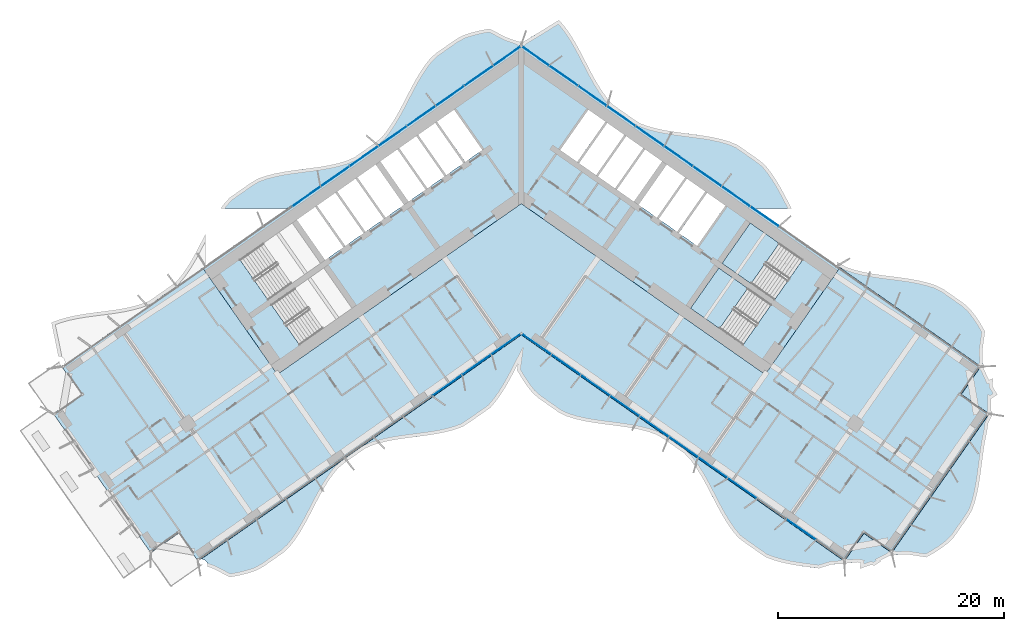
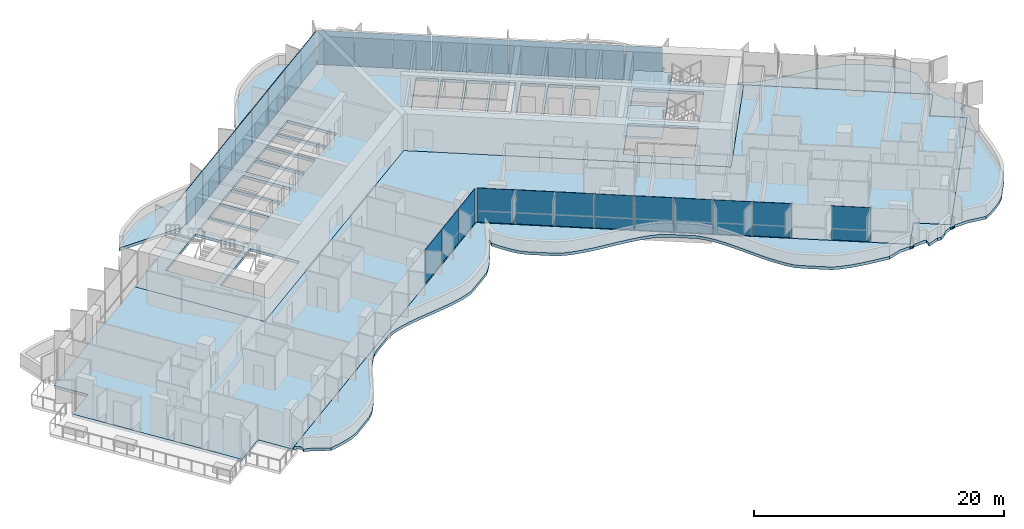
# One storey, part 11 of 25: 29 plates, 6 slabs, 4 elements without a shape of their own.
"""IFC4 building model written with IfcOpenShell, lengths in metres."""

from ifc_helpers import new_model, si_unit, direction, frame, origin, origin_2d, place, context, subcontext, project, spatial, polyline, rectangle, outline, extrude, material, layer, layer_set, type_object, element, aggregate, save


model = new_model("IFC4")

# Units and contexts
model_context = context("Model", 3, precision=1e-05, world=origin(), true_north=direction((0.0, 1.0)))
body_context = subcontext(model_context, "Body", "Model", "MODEL_VIEW")
ifc_project = project(units=[si_unit("LENGTHUNIT", "METRE"), si_unit("AREAUNIT", "SQUARE_METRE"), si_unit("VOLUMEUNIT", "CUBIC_METRE"), si_unit("PLANEANGLEUNIT", "RADIAN"), si_unit("MASSUNIT", "GRAM", prefix="KILO")], contexts=[model_context])

# Site, building, storey
site_placement = place(None, origin())
site = spatial("IfcSite", under=ifc_project, at=site_placement, CompositionType="ELEMENT")
building_placement = place(site_placement, origin())
building = spatial("IfcBuilding", under=site, at=building_placement, Name="Tel Ilan Convention Tower", CompositionType="ELEMENT")
storey_placement = place(building_placement, frame((0.0, 0.0, 97.699951171875)))
storey = spatial("IfcBuildingStorey", under=building, at=storey_placement, Name="L20", CompositionType="ELEMENT", Elevation=97.699951171875)

# Curtain wall, plates
ifc_material_1 = material(Name="Aluminium, bronze anodised", Category="aluminium")
curtain_wall_type_1 = type_object("IfcCurtainWallType", Name="CW1 UNITISED CURTAIN WALL, HOTEL TINTED GLASS", PredefinedType="NOTDEFINED", material=ifc_material_1)
curtain_wall_1_placement = place(storey_placement, origin())
curtain_wall_1 = element("IfcCurtainWall", 1, at=curtain_wall_1_placement, inside=storey, type_object=curtain_wall_type_1, Name="Curtain wall CW1-18.06", PredefinedType="NOTDEFINED")
ifc_material_2 = material(Name="Glass, bronze tinted, two-ply unitised", Category="glass")
ifc_layer_1 = layer(ifc_material_2, 0.028076171875)
ifc_layer_set_1 = layer_set([ifc_layer_1], Name="CW HOTEL GLASS PANEL 28")
plate_type_1 = type_object("IfcPlateType", Name="CW HOTEL GLASS PANEL 28", PredefinedType="CURTAIN_PANEL", material=ifc_layer_set_1)
plate_1_placement = place(storey_placement, frame((-6.544921875, -17.27880859375, 0.0), z_axis=(0.0, 0.0, 1.0), x_axis=(0.819152044289, 0.573576436351, 0.0)))
plate_1 = element("IfcPlate", 2, at=plate_1_placement, type_object=plate_type_1, Name="Glass panel", PredefinedType="CURTAIN_PANEL", context=body_context, shape_type="SweptSolid", body=[
    extrude(rectangle(XDim=3.10791015625, YDim=0.028076171875, at=origin_2d()), origin(), (0.0, 0.0, 1.0), 3.320068359375),
])
plate_2_placement = place(storey_placement, frame((-3.949951171875, -15.4619140625, 0.0), z_axis=(0.0, 0.0, 1.0), x_axis=(0.819152044289, 0.573576436351, 0.0)))
plate_2 = element("IfcPlate", 3, at=plate_2_placement, type_object=plate_type_1, Name="Glass panel", PredefinedType="CURTAIN_PANEL", context=body_context, shape_type="SweptSolid", body=[
    extrude(rectangle(XDim=3.10791015625, YDim=0.028076171875, at=origin_2d()), origin(), (0.0, 0.0, 1.0), 3.320068359375),
])
plate_3_placement = place(storey_placement, frame((-1.355224609375, -13.64501953125, 0.0), z_axis=(0.0, 0.0, 1.0), x_axis=(0.819152044289, 0.573576436351, 0.0)))
plate_3 = element("IfcPlate", 4, at=plate_3_placement, type_object=plate_type_1, Name="Glass panel", PredefinedType="CURTAIN_PANEL", context=body_context, shape_type="SweptSolid", body=[
    extrude(rectangle(XDim=3.10693359375, YDim=0.028076171875, at=origin_2d()), origin(), (0.0, 0.0, 1.0), 3.320068359375),
])
plate_4_placement = place(storey_placement, frame((1.366943359375, -13.653076171875, 0.0), z_axis=(0.0, 0.0, 1.0), x_axis=(0.819152044289, -0.573576436351, 0.0)))
plate_4 = element("IfcPlate", 5, at=plate_4_placement, type_object=plate_type_1, Name="Glass panel", PredefinedType="CURTAIN_PANEL", context=body_context, shape_type="SweptSolid", body=[
    extrude(rectangle(XDim=3.078857421875, YDim=0.028076171875, at=origin_2d()), origin(), (0.0, 0.0, 1.0), 3.320068359375),
])
plate_5_placement = place(storey_placement, frame((3.949951171875, -15.4619140625, 0.0), z_axis=(0.0, 0.0, 1.0), x_axis=(0.819152044289, -0.573576436351, 0.0)))
plate_5 = element("IfcPlate", 6, at=plate_5_placement, type_object=plate_type_1, Name="Glass panel", PredefinedType="CURTAIN_PANEL", context=body_context, shape_type="SweptSolid", body=[
    extrude(rectangle(XDim=3.10791015625, YDim=0.028076171875, at=origin_2d()), origin(), (0.0, 0.0, 1.0), 3.320068359375),
])
plate_6_placement = place(storey_placement, frame((6.544921875, -17.27880859375, 0.0), z_axis=(0.0, 0.0, 1.0), x_axis=(0.819152044289, -0.573576436351, 0.0)))
plate_6 = element("IfcPlate", 7, at=plate_6_placement, type_object=plate_type_1, Name="Glass panel", PredefinedType="CURTAIN_PANEL", context=body_context, shape_type="SweptSolid", body=[
    extrude(rectangle(XDim=3.10791015625, YDim=0.028076171875, at=origin_2d()), origin(), (0.0, 0.0, 1.0), 3.320068359375),
])
plate_7_placement = place(storey_placement, frame((9.14013671875, -19.095947265625, 0.0), z_axis=(0.0, 0.0, 1.0), x_axis=(0.819152044289, -0.573576436351, 0.0)))
plate_7 = element("IfcPlate", 8, at=plate_7_placement, type_object=plate_type_1, Name="Glass panel", PredefinedType="CURTAIN_PANEL", context=body_context, shape_type="SweptSolid", body=[
    extrude(rectangle(XDim=3.10791015625, YDim=0.028076171875, at=origin_2d()), origin(), (0.0, 0.0, 1.0), 3.320068359375),
])
plate_8_placement = place(storey_placement, frame((11.735107421875, -20.9130859375, 0.0), z_axis=(0.0, 0.0, 1.0), x_axis=(0.819152044289, -0.573576436351, 0.0)))
plate_8 = element("IfcPlate", 9, at=plate_8_placement, type_object=plate_type_1, Name="Glass panel", PredefinedType="CURTAIN_PANEL", context=body_context, shape_type="SweptSolid", body=[
    extrude(rectangle(XDim=3.10791015625, YDim=0.028076171875, at=origin_2d()), origin(), (0.0, 0.0, 1.0), 3.320068359375),
])
plate_9_placement = place(storey_placement, frame((14.330078125, -22.730224609375, 0.0), z_axis=(0.0, 0.0, 1.0), x_axis=(0.819152044289, -0.573576436351, 0.0)))
plate_9 = element("IfcPlate", 10, at=plate_9_placement, type_object=plate_type_1, Name="Glass panel", PredefinedType="CURTAIN_PANEL", context=body_context, shape_type="SweptSolid", body=[
    extrude(rectangle(XDim=3.10791015625, YDim=0.028076171875, at=origin_2d()), origin(), (0.0, 0.0, 1.0), 3.320068359375),
])
plate_10_placement = place(storey_placement, frame((16.92529296875, -24.54736328125, 0.0), z_axis=(0.0, 0.0, 1.0), x_axis=(0.819152044289, -0.573576436351, 0.0)))
plate_10 = element("IfcPlate", 11, at=plate_10_placement, type_object=plate_type_1, Name="Glass panel", PredefinedType="CURTAIN_PANEL", context=body_context, shape_type="SweptSolid", body=[
    extrude(rectangle(XDim=3.10791015625, YDim=0.028076171875, at=origin_2d()), origin(), (0.0, 0.0, 1.0), 3.320068359375),
])
plate_11_placement = place(storey_placement, frame((19.520263671875, -26.3642578125, 0.0), z_axis=(0.0, 0.0, 1.0), x_axis=(0.819152044289, -0.573576436351, 0.0)))
plate_11 = element("IfcPlate", 12, at=plate_11_placement, type_object=plate_type_1, Name="Glass panel", PredefinedType="CURTAIN_PANEL", context=body_context, shape_type="SweptSolid", body=[
    extrude(rectangle(XDim=3.10791015625, YDim=0.028076171875, at=origin_2d()), origin(), (0.0, 0.0, 1.0), 3.320068359375),
])
plate_12_placement = place(storey_placement, frame((24.71044921875, -29.99853515625, 0.0), z_axis=(0.0, 0.0, 1.0), x_axis=(0.819152044289, -0.573576436351, 0.0)))
plate_12 = element("IfcPlate", 13, at=plate_12_placement, type_object=plate_type_1, Name="Glass panel", PredefinedType="CURTAIN_PANEL", context=body_context, shape_type="SweptSolid", body=[
    extrude(rectangle(XDim=3.10791015625, YDim=0.028076171875, at=origin_2d()), origin(), (0.0, 0.0, 1.0), 3.320068359375),
])
aggregate(curtain_wall_1, [plate_1, plate_2, plate_3, plate_4, plate_5, plate_6, plate_7, plate_8, plate_9, plate_10, plate_11, plate_12])

ifc_material_3 = material(Name="Aluminium, bronze anodised", Category="aluminium")
curtain_wall_type_2 = type_object("IfcCurtainWallType", Name="CW2 STICK CURTAIN WALL, SPANDREL PANELS", PredefinedType="NOTDEFINED", material=ifc_material_3)
curtain_wall_2_placement = place(storey_placement, origin())
curtain_wall_2 = element("IfcCurtainWall", 14, at=curtain_wall_2_placement, inside=storey, type_object=curtain_wall_type_2, Name="Curtain wall CW2-18.01", PredefinedType="NOTDEFINED")
ifc_material_4 = material(Name="Aluminium composite panel, bronze anodised", Category="aluminium")
ifc_layer_2 = layer(ifc_material_4, 0.06005859375)
ifc_layer_set_2 = layer_set([ifc_layer_2], Name="CW SPANDREL PANEL 60")
plate_type_2 = type_object("IfcPlateType", Name="CW SPANDREL PANEL 60", PredefinedType="CURTAIN_PANEL", material=ifc_layer_set_2)
plate_13_placement = place(storey_placement, frame((21.506591796875, -2.363037109375, 0.0), z_axis=(0.0, 0.0, 1.0), x_axis=(-0.819152044289, 0.573576436351, 0.0)))
plate_13 = element("IfcPlate", 15, at=plate_13_placement, type_object=plate_type_2, Name="Spandrel panel", PredefinedType="CURTAIN_PANEL", context=body_context, shape_type="SweptSolid", body=[
    extrude(rectangle(XDim=3.037109375, YDim=0.06005859375, at=origin_2d()), origin(), (0.0, 0.0, 1.0), 3.320068359375),
])
plate_14_placement = place(storey_placement, frame((18.969482421875, -0.586669921875, 0.0), z_axis=(0.0, 0.0, 1.0), x_axis=(-0.819152044289, 0.573576436351, 0.0)))
plate_14 = element("IfcPlate", 16, at=plate_14_placement, type_object=plate_type_2, Name="Spandrel panel", PredefinedType="CURTAIN_PANEL", context=body_context, shape_type="SweptSolid", body=[
    extrude(rectangle(XDim=3.037109375, YDim=0.06005859375, at=origin_2d()), origin(), (0.0, 0.0, 1.0), 3.320068359375),
])
plate_15_placement = place(storey_placement, frame((16.4326171875, 1.189697265625, 0.0), z_axis=(0.0, 0.0, 1.0), x_axis=(-0.819152044289, 0.573576436351, 0.0)))
plate_15 = element("IfcPlate", 17, at=plate_15_placement, type_object=plate_type_2, Name="Spandrel panel", PredefinedType="CURTAIN_PANEL", context=body_context, shape_type="SweptSolid", body=[
    extrude(rectangle(XDim=3.037109375, YDim=0.06005859375, at=origin_2d()), origin(), (0.0, 0.0, 1.0), 3.320068359375),
])
plate_16_placement = place(storey_placement, frame((13.895751953125, 2.966064453125, 0.0), z_axis=(0.0, 0.0, 1.0), x_axis=(-0.819152044289, 0.573576436351, 0.0)))
plate_16 = element("IfcPlate", 18, at=plate_16_placement, type_object=plate_type_2, Name="Spandrel panel", PredefinedType="CURTAIN_PANEL", context=body_context, shape_type="SweptSolid", body=[
    extrude(rectangle(XDim=3.037109375, YDim=0.06005859375, at=origin_2d()), origin(), (0.0, 0.0, 1.0), 3.320068359375),
])
plate_17_placement = place(storey_placement, frame((11.35888671875, 4.742431640625, 0.0), z_axis=(0.0, 0.0, 1.0), x_axis=(-0.819152044289, 0.573576436351, 0.0)))
plate_17 = element("IfcPlate", 19, at=plate_17_placement, type_object=plate_type_2, Name="Spandrel panel", PredefinedType="CURTAIN_PANEL", context=body_context, shape_type="SweptSolid", body=[
    extrude(rectangle(XDim=3.037109375, YDim=0.06005859375, at=origin_2d()), origin(), (0.0, 0.0, 1.0), 3.320068359375),
])
plate_18_placement = place(storey_placement, frame((8.82177734375, 6.518798828125, 0.0), z_axis=(0.0, 0.0, 1.0), x_axis=(-0.819152044289, 0.573576436351, 0.0)))
plate_18 = element("IfcPlate", 20, at=plate_18_placement, type_object=plate_type_2, Name="Spandrel panel", PredefinedType="CURTAIN_PANEL", context=body_context, shape_type="SweptSolid", body=[
    extrude(rectangle(XDim=3.037109375, YDim=0.06005859375, at=origin_2d()), origin(), (0.0, 0.0, 1.0), 3.320068359375),
])
plate_19_placement = place(storey_placement, frame((6.284912109375, 8.295166015625, 0.0), z_axis=(0.0, 0.0, 1.0), x_axis=(-0.819152044289, 0.573576436351, 0.0)))
plate_19 = element("IfcPlate", 21, at=plate_19_placement, type_object=plate_type_2, Name="Spandrel panel", PredefinedType="CURTAIN_PANEL", context=body_context, shape_type="SweptSolid", body=[
    extrude(rectangle(XDim=3.037109375, YDim=0.06005859375, at=origin_2d()), origin(), (0.0, 0.0, 1.0), 3.320068359375),
])
plate_20_placement = place(storey_placement, frame((3.748046875, 10.07177734375, 0.0), z_axis=(0.0, 0.0, 1.0), x_axis=(-0.819152044289, 0.573576436351, 0.0)))
plate_20 = element("IfcPlate", 22, at=plate_20_placement, type_object=plate_type_2, Name="Spandrel panel", PredefinedType="CURTAIN_PANEL", context=body_context, shape_type="SweptSolid", body=[
    extrude(rectangle(XDim=3.037109375, YDim=0.06005859375, at=origin_2d()), origin(), (0.0, 0.0, 1.0), 3.320068359375),
])
plate_21_placement = place(storey_placement, frame((1.256103515625, 11.81640625, 0.0), z_axis=(0.0, 0.0, 1.0), x_axis=(-0.819152044289, 0.573576436351, 0.0)))
plate_21 = element("IfcPlate", 23, at=plate_21_placement, type_object=plate_type_2, Name="Spandrel panel", PredefinedType="CURTAIN_PANEL", context=body_context, shape_type="SweptSolid", body=[
    extrude(rectangle(XDim=2.927001953125, YDim=0.06005859375, at=origin_2d()), origin(), (0.0, 0.0, 1.0), 3.320068359375),
])
plate_22_placement = place(storey_placement, frame((-1.256103515625, 11.81640625, 0.0), z_axis=(0.0, 0.0, 1.0), x_axis=(-0.819152044289, -0.573576436351, 0.0)))
plate_22 = element("IfcPlate", 24, at=plate_22_placement, type_object=plate_type_2, Name="Spandrel panel", PredefinedType="CURTAIN_PANEL", context=body_context, shape_type="SweptSolid", body=[
    extrude(rectangle(XDim=2.927001953125, YDim=0.06005859375, at=origin_2d()), origin(), (0.0, 0.0, 1.0), 3.320068359375),
])
plate_23_placement = place(storey_placement, frame((-3.748046875, 10.07177734375, 0.0), z_axis=(0.0, 0.0, 1.0), x_axis=(-0.819152044289, -0.573576436351, 0.0)))
plate_23 = element("IfcPlate", 25, at=plate_23_placement, type_object=plate_type_2, Name="Spandrel panel", PredefinedType="CURTAIN_PANEL", context=body_context, shape_type="SweptSolid", body=[
    extrude(rectangle(XDim=3.037109375, YDim=0.06005859375, at=origin_2d()), origin(), (0.0, 0.0, 1.0), 3.320068359375),
])
plate_24_placement = place(storey_placement, frame((-6.284912109375, 8.295166015625, 0.0), z_axis=(0.0, 0.0, 1.0), x_axis=(-0.819152044289, -0.573576436351, 0.0)))
plate_24 = element("IfcPlate", 26, at=plate_24_placement, type_object=plate_type_2, Name="Spandrel panel", PredefinedType="CURTAIN_PANEL", context=body_context, shape_type="SweptSolid", body=[
    extrude(rectangle(XDim=3.037109375, YDim=0.06005859375, at=origin_2d()), origin(), (0.0, 0.0, 1.0), 3.320068359375),
])
plate_25_placement = place(storey_placement, frame((-8.82177734375, 6.518798828125, 0.0), z_axis=(0.0, 0.0, 1.0), x_axis=(-0.819152044289, -0.573576436351, 0.0)))
plate_25 = element("IfcPlate", 27, at=plate_25_placement, type_object=plate_type_2, Name="Spandrel panel", PredefinedType="CURTAIN_PANEL", context=body_context, shape_type="SweptSolid", body=[
    extrude(rectangle(XDim=3.037109375, YDim=0.06005859375, at=origin_2d()), origin(), (0.0, 0.0, 1.0), 3.320068359375),
])
plate_26_placement = place(storey_placement, frame((-11.35888671875, 4.742431640625, 0.0), z_axis=(0.0, 0.0, 1.0), x_axis=(-0.819152044289, -0.573576436351, 0.0)))
plate_26 = element("IfcPlate", 28, at=plate_26_placement, type_object=plate_type_2, Name="Spandrel panel", PredefinedType="CURTAIN_PANEL", context=body_context, shape_type="SweptSolid", body=[
    extrude(rectangle(XDim=3.037109375, YDim=0.06005859375, at=origin_2d()), origin(), (0.0, 0.0, 1.0), 3.320068359375),
])
plate_27_placement = place(storey_placement, frame((-13.895751953125, 2.966064453125, 0.0), z_axis=(0.0, 0.0, 1.0), x_axis=(-0.819152044289, -0.573576436351, 0.0)))
plate_27 = element("IfcPlate", 29, at=plate_27_placement, type_object=plate_type_2, Name="Spandrel panel", PredefinedType="CURTAIN_PANEL", context=body_context, shape_type="SweptSolid", body=[
    extrude(rectangle(XDim=3.037109375, YDim=0.06005859375, at=origin_2d()), origin(), (0.0, 0.0, 1.0), 3.320068359375),
])
plate_28_placement = place(storey_placement, frame((-16.4326171875, 1.189697265625, 0.0), z_axis=(0.0, 0.0, 1.0), x_axis=(-0.819152044289, -0.573576436351, 0.0)))
plate_28 = element("IfcPlate", 30, at=plate_28_placement, type_object=plate_type_2, Name="Spandrel panel", PredefinedType="CURTAIN_PANEL", context=body_context, shape_type="SweptSolid", body=[
    extrude(rectangle(XDim=3.037109375, YDim=0.06005859375, at=origin_2d()), origin(), (0.0, 0.0, 1.0), 3.320068359375),
])
plate_29_placement = place(storey_placement, frame((-18.969482421875, -0.586669921875, 0.0), z_axis=(0.0, 0.0, 1.0), x_axis=(-0.819152044289, -0.573576436351, 0.0)))
plate_29 = element("IfcPlate", 31, at=plate_29_placement, type_object=plate_type_2, Name="Spandrel panel", PredefinedType="CURTAIN_PANEL", context=body_context, shape_type="SweptSolid", body=[
    extrude(rectangle(XDim=3.037109375, YDim=0.06005859375, at=origin_2d()), origin(), (0.0, 0.0, 1.0), 3.320068359375),
])
aggregate(curtain_wall_2, [plate_13, plate_14, plate_15, plate_16, plate_17, plate_18, plate_19, plate_20, plate_21, plate_22, plate_23, plate_24, plate_25, plate_26, plate_27, plate_28, plate_29])

# Stair, slab
ifc_material_5 = material(Name="Concrete C40/50", Category="concrete")
stair_type = type_object("IfcStairType", Name="Pressurised Exit Stair 20 risers 180 mm", PredefinedType="HALF_TURN_STAIR", material=ifc_material_5)
stair_1_placement = place(storey_placement, origin())
stair_1 = element("IfcStair", 32, at=stair_1_placement, inside=storey, type_object=stair_type, Name="L20 Pressurised Stair S3", PredefinedType="HALF_TURN_STAIR")
ifc_material_6 = material(Name="Concrete C40/50", Category="concrete")
ifc_layer_3 = layer(ifc_material_6, 0.199951171875)
ifc_layer_set_3 = layer_set([ifc_layer_3], Name="Concrete Stair Landing 200 mm C40/50")
slab_type_1 = type_object("IfcSlabType", Name="Concrete Stair Landing 200 mm", PredefinedType="LANDING", material=ifc_layer_set_3)
slab_1_placement = place(storey_placement, frame((0.0, 0.0, 1.60009765625)))
slab_1 = element("IfcSlab", 33, at=slab_1_placement, type_object=slab_type_1, Name="S3 landing 1", PredefinedType="LANDING", context=body_context, shape_type="SweptSolid", body=[
    extrude(outline(polyline([(22.791015625, -4.727294921875), (20.226318359375, -2.931640625), (17.7314453125, -6.494873046875), (20.2958984375, -8.29052734375), (22.791015625, -4.727294921875)])), origin(), (0.0, 0.0, 1.0), 0.199951171875),
])
aggregate(stair_1, [slab_1])

stair_2_placement = place(storey_placement, origin())
stair_2 = element("IfcStair", 34, at=stair_2_placement, inside=storey, type_object=stair_type, Name="L20 Pressurised Stair S4", PredefinedType="HALF_TURN_STAIR")
slab_2_placement = place(storey_placement, frame((0.0, 0.0, 1.60009765625)))
slab_2 = element("IfcSlab", 35, at=slab_2_placement, type_object=slab_type_1, Name="S4 landing 1", PredefinedType="LANDING", context=body_context, shape_type="SweptSolid", body=[
    extrude(outline(polyline([(20.00927734375, -8.7001953125), (17.444580078125, -6.904541015625), (14.949462890625, -10.4677734375), (17.51416015625, -12.263427734375), (20.00927734375, -8.7001953125)])), origin(), (0.0, 0.0, 1.0), 0.199951171875),
])
aggregate(stair_2, [slab_2])

# Slabs
ifc_material_7 = material(Name="Concrete C40/50", Category="concrete")
ifc_layer_4 = layer(ifc_material_7, 0.280029296875)
ifc_layer_set_4 = layer_set([ifc_layer_4], Name="Core Floor Slab 280 mm C40/50")
slab_type_2 = type_object("IfcSlabType", Name="Core Floor Slab 280 mm C40/50", PredefinedType="FLOOR", material=ifc_layer_set_4)
slab_3_placement = place(storey_placement, frame((0.0, 0.0, -0.280029296875)))
element("IfcSlab", 36, at=slab_3_placement, inside=storey, type_object=slab_type_2, Name="L20 core floor 1", PredefinedType="FLOOR", context=body_context, shape_type="SweptSolid", body=[
    extrude(outline(polyline([(-28.1396484375, -6.885498046875), (0.0, 12.818115234375), (28.1396484375, -6.885498046875), (21.54345703125, -16.3056640625), (0.0, -1.220703125), (-21.54345703125, -16.3056640625), (-28.1396484375, -6.885498046875)]), holes=[polyline([(-14.949462890625, -10.4677734375), (-17.444580078125, -6.904541015625), (-22.072021484375, -10.144775390625), (-19.5771484375, -13.7080078125), (-14.949462890625, -10.4677734375)]), polyline([(-17.7314453125, -6.494873046875), (-20.226318359375, -2.931640625), (-24.85400390625, -6.171875), (-22.35888671875, -9.735107421875), (-17.7314453125, -6.494873046875)]), polyline([(-18.198974609375, -1.511962890625), (-19.81689453125, -2.644775390625), (-17.32177734375, -6.2080078125), (-15.7041015625, -5.0751953125), (-18.198974609375, -1.511962890625)]), polyline([(-16.41748046875, -0.264404296875), (-18.03515625, -1.397216796875), (-15.5400390625, -4.960693359375), (-13.92236328125, -3.827880859375), (-16.41748046875, -0.264404296875)]), polyline([(-14.6357421875, 0.983154296875), (-16.25341796875, -0.149658203125), (-13.758544921875, -3.712890625), (-12.140625, -2.580078125), (-14.6357421875, 0.983154296875)]), polyline([(-12.85400390625, 2.230712890625), (-14.471923828125, 1.097900390625), (-11.976806640625, -2.465576171875), (-10.35888671875, -1.332763671875), (-12.85400390625, 2.230712890625)]), polyline([(-10.939208984375, 3.5712890625), (-12.444580078125, 2.517333984375), (-9.949462890625, -1.0458984375), (-8.444091796875, 0.008056640625), (-10.939208984375, 3.5712890625)]), polyline([(-6.775146484375, 1.1767578125), (-9.270263671875, 4.739990234375), (-10.775390625, 3.68603515625), (-8.280517578125, 0.122802734375), (-6.775146484375, 1.1767578125)]), polyline([(-5.106201171875, 2.345458984375), (-7.601318359375, 5.90869140625), (-9.1064453125, 4.854736328125), (-6.611328125, 1.29150390625), (-5.106201171875, 2.345458984375)]), polyline([(-5.93212890625, 7.077392578125), (-7.4375, 6.0234375), (-4.9423828125, 2.460205078125), (-3.437255859375, 3.513916015625), (-5.93212890625, 7.077392578125)]), polyline([(17.444580078125, -6.904541015625), (14.949462890625, -10.4677734375), (19.5771484375, -13.7080078125), (22.072021484375, -10.144775390625), (17.444580078125, -6.904541015625)]), polyline([(20.226318359375, -2.931640625), (17.7314453125, -6.494873046875), (22.35888671875, -9.735107421875), (24.85400390625, -6.171875), (20.226318359375, -2.931640625)]), polyline([(13.92236328125, -3.827880859375), (15.5400390625, -4.960693359375), (18.03515625, -1.397216796875), (16.41748046875, -0.264404296875), (13.92236328125, -3.827880859375)]), polyline([(12.140625, -2.580078125), (13.758544921875, -3.712890625), (16.25341796875, -0.149658203125), (14.6357421875, 0.983154296875), (12.140625, -2.580078125)]), polyline([(11.976806640625, -2.465576171875), (14.471923828125, 1.097900390625), (12.85400390625, 2.230712890625), (10.35888671875, -1.332763671875), (11.976806640625, -2.465576171875)]), polyline([(9.949462890625, -1.0458984375), (12.444580078125, 2.517333984375), (10.939208984375, 3.5712890625), (8.444091796875, 0.008056640625), (9.949462890625, -1.0458984375)]), polyline([(8.280517578125, 0.122802734375), (10.775390625, 3.68603515625), (9.270263671875, 4.739990234375), (6.775146484375, 1.1767578125), (8.280517578125, 0.122802734375)]), polyline([(5.106201171875, 2.345458984375), (6.611328125, 1.29150390625), (9.1064453125, 4.854736328125), (7.601318359375, 5.90869140625), (5.106201171875, 2.345458984375)]), polyline([(3.437255859375, 3.513916015625), (4.9423828125, 2.460205078125), (7.4375, 6.0234375), (5.93212890625, 7.077392578125), (3.437255859375, 3.513916015625)])]), origin(), (0.0, 0.0, 1.0), 0.280029296875),
])
ifc_material_8 = material(Name="Concrete C40/50", Category="concrete")
ifc_layer_5 = layer(ifc_material_8, 0.280029296875)
ifc_layer_set_5 = layer_set([ifc_layer_5], Name="Edge Ledge Slab 280 mm C40/50")
slab_type_3 = type_object("IfcSlabType", Name="Edge Ledge Slab 280 mm C40/50", PredefinedType="FLOOR", material=ifc_layer_set_5)
slab_4_placement = place(storey_placement, frame((0.0, 0.0, -0.280029296875)))
element("IfcSlab", 37, at=slab_4_placement, inside=storey, type_object=slab_type_3, Name="L20 edge ledge 1", PredefinedType="FLOOR", context=body_context, shape_type="SweptSolid", body=[
    extrude(outline(polyline([(28.545654296875, -32.805908203125), (30.266357421875, -30.3486328125), (32.723876953125, -32.0693359375), (41.327392578125, -19.781982421875), (38.8701171875, -18.061279296875), (40.5908203125, -15.603759765625), (27.875, -6.7001953125), (27.875, -6.333740234375), (28.040283203125, -6.44970703125), (28.68408203125, -6.820068359375), (29.414794921875, -7.0654296875), (30.181884765625, -7.259521484375), (30.97802734375, -7.412109375), (31.79443359375, -7.535400390625), (32.6220703125, -7.64306640625), (33.450927734375, -7.748779296875), (34.27099609375, -7.86669921875), (35.072998046875, -8.0107421875), (35.84814453125, -8.193115234375), (36.5888671875, -8.4248046875), (37.260498046875, -8.755126953125), (39.077880859375, -10.027587890625), (39.63232421875, -10.525390625), (40.108154296875, -11.13525390625), (40.548583984375, -11.795654296875), (40.96044921875, -12.496826171875), (40.743408203125, -14.096435546875), (40.7626953125, -15.358154296875), (40.759521484375, -15.36279296875), (40.802978515625, -15.3916015625), (40.867919921875, -15.489013671875), (40.890869140625, -15.603759765625), (40.867919921875, -15.718505859375), (40.831787109375, -15.772705078125), (40.83642578125, -15.77587890625), (41.29638671875, -16.79443359375), (41.686767578125, -16.65380859375), (41.602294921875, -17.322509765625), (42.063720703125, -18.10009765625), (41.508056640625, -18.443603515625), (41.487548828125, -18.439453125), (41.49951171875, -19.536376953125), (41.496337890625, -19.541015625), (41.53955078125, -19.56982421875), (41.604736328125, -19.667236328125), (41.62744140625, -19.781982421875), (41.604736328125, -19.896728515625), (41.568603515625, -19.95068359375), (41.5732421875, -19.9541015625), (41.24267578125, -20.594482421875), (41.12841796875, -21.386474609375), (40.97021484375, -22.147705078125), (40.841064453125, -22.929443359375), (40.732421875, -23.72509765625), (40.631103515625, -24.5263671875), (40.52490234375, -25.323974609375), (40.40087890625, -26.10888671875), (40.247314453125, -26.87353515625), (40.0537109375, -27.60986328125), (39.810791015625, -28.311767578125), (39.44189453125, -28.925537109375), (38.212890625, -30.680908203125), (37.701904296875, -31.195068359375), (37.104736328125, -31.64892578125), (36.4619140625, -32.07080078125), (35.769775390625, -32.4580078125), (34.16845703125, -32.208740234375), (32.969482421875, -32.241455078125), (32.96484375, -32.238037109375), (32.93603515625, -32.281494140625), (32.838623046875, -32.346435546875), (32.723876953125, -32.369384765625), (32.60888671875, -32.346435546875), (32.554931640625, -32.310302734375), (32.5517578125, -32.31494140625), (31.685546875, -32.75439453125), (31.7392578125, -32.8447265625), (31.18359375, -33.188232421875), (30.877685546875, -33.126708984375), (29.9072265625, -33.476806640625), (29.97412109375, -32.9453125), (29.716796875, -32.8935546875), (28.79150390625, -32.97802734375), (28.78662109375, -32.974853515625), (28.7578125, -33.018310546875), (28.660400390625, -33.083251953125), (28.545654296875, -33.10595703125), (28.430908203125, -33.083251953125), (28.376953125, -33.047119140625), (28.37353515625, -33.0517578125), (27.44921875, -33.079345703125), (26.29443359375, -33.435546875), (25.462646484375, -33.3310546875), (24.635986328125, -33.218994140625), (23.824462890625, -33.08544921875), (23.03662109375, -32.91748046875), (22.281005859375, -32.7041015625), (21.564697265625, -32.434814453125), (19.742431640625, -31.158935546875), (19.1513671875, -30.71044921875), (18.660888671875, -30.1181640625), (18.2080078125, -29.47216796875), (17.785888671875, -28.782470703125), (17.38623046875, -28.060546875), (16.999755859375, -27.31982421875), (16.61669921875, -26.574462890625), (16.2265625, -25.838623046875), (15.8203125, -25.12646484375), (15.388427734375, -24.450439453125), (14.92333984375, -23.822021484375), (14.404296875, -23.2705078125), (12.58251953125, -21.99462890625), (11.9423828125, -21.61572265625), (11.211669921875, -21.366943359375), (10.444091796875, -21.17041015625), (9.647216796875, -21.015625), (8.829345703125, -20.89111328125), (8.0, -20.782958984375), (7.1689453125, -20.677001953125), (6.34619140625, -20.559326171875), (5.54150390625, -20.416015625), (4.763427734375, -20.234375), (4.02001953125, -20.003662109375), (3.343994140625, -19.676513671875), (1.52197265625, -18.400634765625), (0.964599609375, -17.90380859375), (0.4873046875, -17.293212890625), (0.04541015625, -16.631591796875), (-0.367919921875, -15.928955078125), (-0.29345703125, -15.373291015625), (-0.56103515625, -15.89501953125), (-0.94921875, -16.63330078125), (-1.352294921875, -17.350341796875), (-1.779296875, -18.032958984375), (-2.23828125, -18.669921875), (-2.736572265625, -19.251220703125), (-4.55859375, -20.527099609375), (-5.18212890625, -20.92919921875), (-5.906494140625, -21.1875), (-6.66845703125, -21.39208984375), (-7.4609375, -21.552734375), (-8.27587890625, -21.681396484375), (-9.104248046875, -21.791259765625), (-9.935791015625, -21.896484375), (-10.760498046875, -22.01123046875), (-11.56884765625, -22.1494140625), (-12.351806640625, -22.32421875), (-13.101318359375, -22.546142578125), (-13.797119140625, -22.84521484375), (-15.619140625, -24.12109375), (-16.194091796875, -24.5927734375), (-16.677734375, -25.1943359375), (-17.125, -25.848388671875), (-17.54296875, -26.544189453125), (-17.939697265625, -27.270263671875), (-18.3251953125, -28.0126953125), (-18.708740234375, -28.75732421875), (-19.1005859375, -29.490234375), (-19.510498046875, -30.197509765625), (-19.947509765625, -30.8662109375), (-20.41845703125, -31.486083984375), (-20.957275390625, -32.009521484375), (-22.779296875, -33.28515625), (-23.436767578125, -33.638916015625), (-24.174072265625, -33.87890625), (-24.94677734375, -34.067626953125), (-25.748291015625, -34.2158203125), (-27.177490234375, -33.46728515625), (-27.740966796875, -33.271484375), (-27.737548828125, -33.26123046875), (-27.7265625, -33.21337890625), (-27.720458984375, -33.164794921875), (-27.718994140625, -33.11572265625), (-27.72265625, -33.06689453125), (-27.73095703125, -33.018310546875), (-27.743896484375, -32.97119140625), (-27.761474609375, -32.92529296875), (-27.783203125, -32.88134765625), (-27.809326171875, -32.83984375), (-27.839599609375, -32.801025390625), (-27.873291015625, -32.765380859375), (-27.910400390625, -32.7333984375), (-27.950439453125, -32.705078125), (-27.992919921875, -32.6806640625), (-28.037841796875, -32.66064453125), (-28.084228515625, -32.64501953125), (-28.132080078125, -32.63427734375), (-28.180908203125, -32.628173828125), (-28.22998046875, -32.626708984375), (-28.29638671875, -32.631591796875), (0.0, -12.818115234375), (28.545654296875, -32.805908203125)])), origin(), (0.0, 0.0, 1.0), 0.280029296875),
])
slab_5_placement = place(storey_placement, frame((0.0, 0.0, -0.280029296875)))
element("IfcSlab", 38, at=slab_5_placement, inside=storey, type_object=slab_type_3, Name="L20 edge ledge 2", PredefinedType="FLOOR", context=body_context, shape_type="SweptSolid", body=[
    extrude(outline(polyline([(-21.02001953125, 1.576171875), (-20.205810546875, 1.70263671875), (-19.37890625, 1.811279296875), (-18.5498046875, 1.91650390625), (-17.727783203125, 2.0322265625), (-16.923095703125, 2.172119140625), (-16.14404296875, 2.34912109375), (-15.398681640625, 2.573974609375), (-14.7119140625, 2.8828125), (-12.89453125, 4.155517578125), (-12.326416015625, 4.6337890625), (-11.845703125, 5.236572265625), (-11.401123046875, 5.89111328125), (-10.985595703125, 6.5869140625), (-10.59033203125, 7.311767578125), (-10.206298828125, 8.052734375), (-9.823486328125, 8.79541015625), (-9.431884765625, 9.52587890625), (-9.022216796875, 10.230224609375), (-8.585693359375, 10.896240234375), (-8.11474609375, 11.512939453125), (-7.57470703125, 12.031005859375), (-5.757080078125, 13.3037109375), (-5.10009765625, 13.654541015625), (-4.364013671875, 13.89306640625), (-3.593017578125, 14.0810546875), (-2.793212890625, 14.228271484375), (-1.3642578125, 13.47705078125), (-0.172119140625, 13.06396484375), (-0.168701171875, 13.05908203125), (-0.11474609375, 13.09521484375), (0.0, 13.1181640625), (0.11474609375, 13.09521484375), (0.168701171875, 13.05908203125), (0.172119140625, 13.06396484375), (1.732666015625, 14.003173828125), (3.331787109375, 14.997802734375), (3.8291015625, 14.418212890625), (4.28662109375, 13.7822265625), (4.71240234375, 13.100830078125), (5.1142578125, 12.385498046875), (5.50146484375, 11.64892578125), (5.883544921875, 10.9052734375), (6.2705078125, 10.168701171875), (6.672119140625, 9.452880859375), (7.09765625, 8.770751953125), (7.5546875, 8.134033203125), (8.050048828125, 7.55224609375), (8.65380859375, 7.125), (9.865478515625, 6.276611328125), (10.483642578125, 5.8701171875), (11.20458984375, 5.610107421875), (11.963134765625, 5.404052734375), (12.75244140625, 5.241943359375), (13.564697265625, 5.1123046875), (14.390380859375, 5.002197265625), (15.2197265625, 4.8974609375), (16.043212890625, 4.78369140625), (16.8505859375, 4.647705078125), (17.63330078125, 4.47607421875), (18.38330078125, 4.2578125), (19.08544921875, 3.97119140625), (20.903076171875, 2.698486328125), (21.484130859375, 2.239013671875), (21.9697265625, 1.643310546875), (22.418701171875, 0.99462890625), (22.83740234375, 0.3037109375), (23.23486328125, -0.41845703125), (23.619873046875, -1.158203125), (23.86328125, -1.631591796875), (20.63623046875, -1.631591796875), (0.0, 12.818115234375), (-20.63623046875, -1.631591796875), (-26.53369140625, -1.631591796875), (-26.25927734375, -1.2568359375), (-25.749755859375, -0.695068359375), (-23.93212890625, 0.577392578125), (-23.301513671875, 0.96630859375), (-22.57568359375, 1.218994140625), (-21.812744140625, 1.4189453125), (-21.02001953125, 1.576171875)])), origin(), (0.0, 0.0, 1.0), 0.280029296875),
])
ifc_material_9 = material(Name="Concrete C40/50", Category="concrete")
ifc_layer_6 = layer(ifc_material_9, 0.280029296875)
ifc_layer_set_6 = layer_set([ifc_layer_6], Name="Flat Plate Floor Slab 280 mm C40/50")
slab_type_4 = type_object("IfcSlabType", Name="Flat Plate Floor Slab 280 mm C40/50", PredefinedType="FLOOR", material=ifc_layer_set_6)
slab_6_placement = place(storey_placement, frame((0.0, 0.0, -0.280029296875)))
element("IfcSlab", 39, at=slab_6_placement, inside=storey, type_object=slab_type_4, Name="L20 floor slab", PredefinedType="FLOOR", context=body_context, shape_type="SweptSolid", body=[
    extrude(outline(polyline([(-30.266357421875, -30.3486328125), (-32.723876953125, -32.0693359375), (-41.327392578125, -19.781982421875), (-38.8701171875, -18.061279296875), (-40.5908203125, -15.603759765625), (-28.1396484375, -6.885498046875), (-21.54345703125, -16.3056640625), (0.0, -1.220703125), (21.54345703125, -16.3056640625), (28.1396484375, -6.885498046875), (40.5908203125, -15.603759765625), (38.8701171875, -18.061279296875), (41.327392578125, -19.781982421875), (32.723876953125, -32.0693359375), (30.266357421875, -30.3486328125), (28.545654296875, -32.805908203125), (0.0, -12.818115234375), (-28.545654296875, -32.805908203125), (-30.266357421875, -30.3486328125)])), origin(), (0.0, 0.0, 1.0), 0.280029296875),
])

save(model, "model.ifc")
